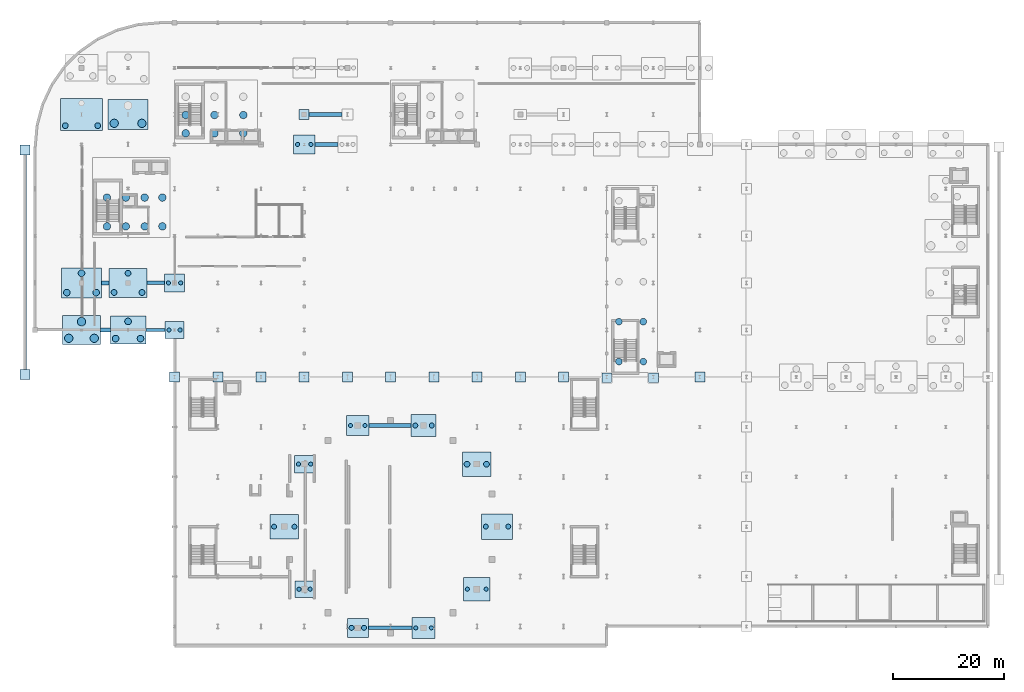
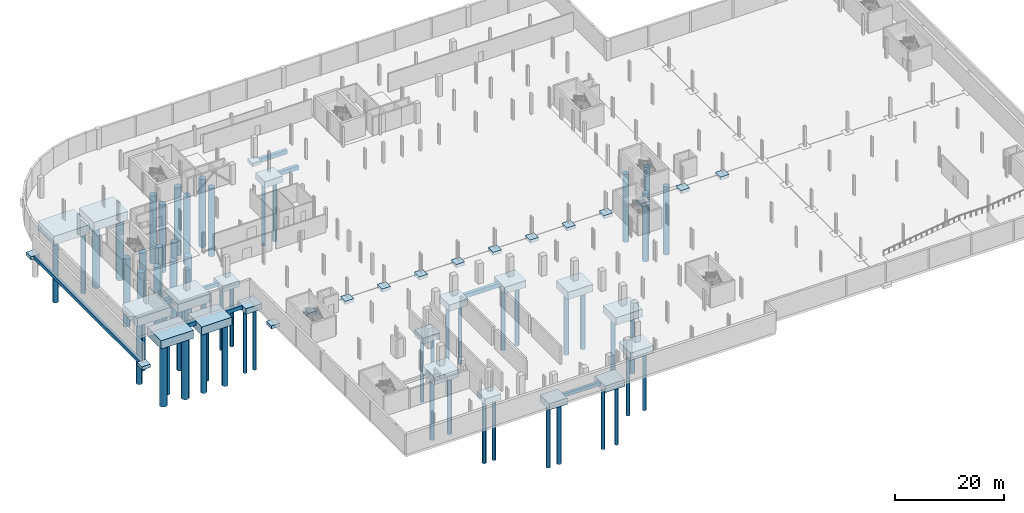
# One storey, part 1 of 45: 60 piles, 44 footings.
"""IFC4 building model written with IfcOpenShell, lengths in metres."""

import ifcopenshell
import ifcopenshell.guid

model = None  # the IFC model being written
_history = None  # IfcOwnerHistory: only IFC2X3 demands one
_inside = {}  # id of a spatial element -> (the spatial element, [elements in it])
_under = {}  # id of a project, library or spatial element -> (it, [spatial elements below it])
_declared = {}  # id of a project -> (the project, [libraries it declares])
_typed = {}  # id of a type object -> (the type object, [elements of that type])
_made_of = {}  # id of a material, layer set ... -> (it, [elements and type objects made of it])


def new_model(schema):
    """Start an empty IFC model of exactly this schema.

    Asked for "IFC4X3", IfcOpenShell would pick the latest addendum, in which some entities
    have other attributes; the version numbers below select the first issue.
    IFC2X3 requires an IfcOwnerHistory on every rooted entity: one is made here for all.
    """
    global model, _history
    if schema == "IFC4X3":
        model = ifcopenshell.file(schema_version=(4, 3, 0, 0))
    else:
        model = ifcopenshell.file(schema=schema)
    _inside.clear()
    _under.clear()
    _declared.clear()
    _typed.clear()
    _made_of.clear()
    _history = None
    if model.schema == "IFC2X3":
        org = make("IfcOrganization", Name="unknown")
        user = make(
            "IfcPersonAndOrganization",
            ThePerson=make("IfcPerson", FamilyName="unknown"),
            TheOrganization=org,
        )
        app = make(
            "IfcApplication",
            ApplicationDeveloper=org,
            Version="unknown",
            ApplicationFullName="unknown",
            ApplicationIdentifier="unknown",
        )
        _history = make(
            "IfcOwnerHistory",
            OwningUser=user,
            OwningApplication=app,
            ChangeAction="ADDED",
            CreationDate=0,
        )
    return model


def make(cls, **values):
    """One entity of the class cls with the attributes given. An attribute that is None is left unset."""
    return model.create_entity(
        cls, **{name: value for name, value in values.items() if value is not None}
    )


def rooted(cls, **values):
    """An entity with a GlobalId (a new one), such as an element, a storey or a relation."""
    return make(cls, GlobalId=ifcopenshell.guid.new(), OwnerHistory=_history, **values)


def si_unit(unit_type, name, prefix=None):
    """IfcSIUnit, for example si_unit("LENGTHUNIT", "METRE", prefix="MILLI")."""
    return make("IfcSIUnit", UnitType=unit_type, Prefix=prefix, Name=name)


def assignment(units):
    """IfcUnitAssignment: the units of a project."""
    return None if units is None else make("IfcUnitAssignment", Units=units)


def point(xyz):
    """IfcCartesianPoint."""
    return None if xyz is None else make("IfcCartesianPoint", Coordinates=xyz)


def direction(xyz):
    """IfcDirection."""
    return None if xyz is None else make("IfcDirection", DirectionRatios=xyz)


def frame(location, z_axis=None, x_axis=None):
    """IfcAxis2Placement3D, a coordinate frame: its origin and axes. An axis left out is left unset."""
    return make(
        "IfcAxis2Placement3D",
        Location=point(location),
        Axis=direction(z_axis),
        RefDirection=direction(x_axis),
    )


def frame_2d(location, x_axis=None):
    """IfcAxis2Placement2D, a coordinate frame in the plane: its origin and x axis."""
    return make(
        "IfcAxis2Placement2D", Location=point(location), RefDirection=direction(x_axis)
    )


def origin():
    """The frame at (0, 0, 0) with its axes left unset."""
    return frame((0.0, 0.0, 0.0))


def origin_2d():
    """The frame at (0, 0) in the plane with its x axis left unset."""
    return frame_2d((0.0, 0.0))


def place(relative_to, where):
    """IfcLocalPlacement: puts the frame where relative to a parent placement (None: the world)."""
    return make(
        "IfcLocalPlacement", PlacementRelTo=relative_to, RelativePlacement=where
    )


def context(
    kind, dimensions, precision=None, world=None, true_north=None, identifier=None
):
    """IfcGeometricRepresentationContext, for example the 3D "Model" context."""
    return make(
        "IfcGeometricRepresentationContext",
        ContextIdentifier=identifier,
        ContextType=kind,
        CoordinateSpaceDimension=dimensions,
        Precision=precision,
        WorldCoordinateSystem=world,
        TrueNorth=true_north,
    )


def subcontext(parent, identifier, kind, view, scale=None):
    """IfcGeometricRepresentationSubContext, for example "Body" below "Model"."""
    return make(
        "IfcGeometricRepresentationSubContext",
        ContextIdentifier=identifier,
        ContextType=kind,
        ParentContext=parent,
        TargetScale=scale,
        TargetView=view,
    )


def project(units=None, contexts=None):
    """IfcProject with its units and contexts."""
    return rooted(
        "IfcProject",
        Name="project",
        RepresentationContexts=contexts,
        UnitsInContext=assignment(units),
    )


def spatial(cls, under=None, at=None, **own):
    """A site, building, storey or space (cls), placed at a placement, below another one or the project."""
    s = rooted(cls, ObjectPlacement=at, **own)
    if under is not None:
        _under.setdefault(under.id(), (under, []))[1].append(s)
    return s


def profile(cls, at=None, kind="AREA", **sizes):
    """A parametric profile (cls). Its sizes go by their IFC names, for example OverallWidth=200.0."""
    return make(cls, ProfileType=kind, Position=at, **sizes)


def rectangle(**sizes):
    """IfcRectangleProfileDef."""
    return profile("IfcRectangleProfileDef", **sizes)


def circle(**sizes):
    """IfcCircleProfileDef."""
    return profile("IfcCircleProfileDef", **sizes)


def extrude(swept, where, along, depth):
    """IfcExtrudedAreaSolid: the profile swept, set in the frame where, extruded along a direction by depth."""
    return make(
        "IfcExtrudedAreaSolid",
        SweptArea=swept,
        Position=where,
        ExtrudedDirection=direction(along),
        Depth=depth,
    )


def shape(context_of_items, identifier, shape_type, items):
    """IfcShapeRepresentation: the items that make up one representation, for example the "Body"."""
    return make(
        "IfcShapeRepresentation",
        ContextOfItems=context_of_items,
        RepresentationIdentifier=identifier,
        RepresentationType=shape_type,
        Items=items,
    )


def material(Name=None, Category=None):
    """IfcMaterial."""
    return make("IfcMaterial", Name=Name, Category=Category)


def material_profile(
    of_material, cross_section, Name=None, Category=None, Priority=None
):
    """IfcMaterialProfile: a cross section and its material."""
    return make(
        "IfcMaterialProfile",
        Name=Name,
        Material=of_material,
        Profile=cross_section,
        Priority=Priority,
        Category=Category,
    )


def profile_set(profiles, Name=None, composite=None):
    """IfcMaterialProfileSet."""
    return make(
        "IfcMaterialProfileSet",
        Name=Name,
        MaterialProfiles=profiles,
        CompositeProfile=composite,
    )


def made_of(thing, what):
    """Note that an element or type object is made of a material, layer set ...; save() writes the relation."""
    if what is not None:
        _made_of.setdefault(what.id(), (what, []))[1].append(thing)
    return thing


def type_object(cls, material=None, **own):
    """A type object (cls), such as IfcWallType, which elements share."""
    return made_of(rooted(cls, **own), material)


def element(
    cls,
    number,
    at=None,
    inside=None,
    cuts=None,
    type_object=None,
    material=None,
    context=None,
    identifier="Body",
    shape_type=None,
    held_by="IfcProductDefinitionShape",
    body=None,
    shapes=None,
    **own,
):
    """One element of the class cls, such as IfcWall. Its Tag is "e" and its number.

    at: its placement. inside: the storey or other place that contains it. cuts: it is an
    opening in that element (IfcRelVoidsElement). A single representation is given by context,
    identifier, shape_type and body (its items); several are given by shapes. held_by: the class
    of the entity that holds the representations. save() writes the other relations.
    """
    e = rooted(cls, Tag="e%d" % number, ObjectPlacement=at, **own)
    if body is not None:
        shapes = [shape(context, identifier, shape_type, body)]
    if shapes is not None:
        e.Representation = make(held_by, Representations=shapes)
    if inside is not None:
        _inside.setdefault(inside.id(), (inside, []))[1].append(e)
    if cuts is not None:
        rooted(
            "IfcRelVoidsElement", RelatingBuildingElement=cuts, RelatedOpeningElement=e
        )
    if type_object is not None:
        _typed.setdefault(type_object.id(), (type_object, []))[1].append(e)
    return made_of(e, material)


def aggregate(whole, parts):
    """IfcRelAggregates: a whole, such as a stair, and the parts it consists of."""
    return rooted("IfcRelAggregates", RelatingObject=whole, RelatedObjects=parts)


def save(model, path):
    """Write the relations noted so far, then the file.

    IfcRelAggregates (storeys below a building ...), IfcRelContainedInSpatialStructure (elements
    in a storey), IfcRelDefinesByType, IfcRelAssociatesMaterial and IfcRelDeclares: one each for
    every whole, place, type object, material and project.
    """
    for whole, parts in _under.values():
        aggregate(whole, parts)
    for where, things in _inside.values():
        rooted(
            "IfcRelContainedInSpatialStructure",
            RelatedElements=things,
            RelatingStructure=where,
        )
    for kind, things in _typed.values():
        rooted("IfcRelDefinesByType", RelatedObjects=things, RelatingType=kind)
    for what, things in _made_of.values():
        rooted("IfcRelAssociatesMaterial", RelatedObjects=things, RelatingMaterial=what)
    for by, libraries in _declared.values():
        rooted("IfcRelDeclares", RelatingContext=by, RelatedDefinitions=libraries)
    model.write(path)


model = new_model("IFC4")

# Units and contexts
model_context = context("Model", 3, precision=1e-05, world=origin(), true_north=direction((0.0, 1.0)))
body_context = subcontext(model_context, "Body", "Model", "MODEL_VIEW")
ifc_project = project(units=[si_unit("LENGTHUNIT", "METRE"), si_unit("AREAUNIT", "SQUARE_METRE"), si_unit("VOLUMEUNIT", "CUBIC_METRE"), si_unit("PLANEANGLEUNIT", "RADIAN"), si_unit("MASSUNIT", "GRAM", prefix="KILO")], contexts=[model_context])

# Site, building, storey
site_placement = place(None, origin())
site = spatial("IfcSite", under=ifc_project, at=site_placement, CompositionType="ELEMENT")
building_placement = place(site_placement, origin())
building = spatial("IfcBuilding", under=site, at=building_placement, Name="Sefraquen Railside Congress Hotel", CompositionType="ELEMENT")
storey_placement = place(building_placement, frame((0.0, 0.0, -4.5)))
storey = spatial("IfcBuildingStorey", under=building, at=storey_placement, Name="B01", CompositionType="ELEMENT", Elevation=-4.5)

# Footings
ifc_material_1 = material(Name="Concrete C40/50", Category="concrete")
footing_type_1 = type_object("IfcFootingType", Name="TF-FB-01", PredefinedType="FOOTING_BEAM", material=ifc_material_1)
footing_1_placement = place(storey_placement, frame((64.10009765625, 8.73974609375, -1.5), z_axis=(0.0, 0.0, 1.0), x_axis=(1.0, 0.0, 0.0)))
element("IfcFooting", 1, at=footing_1_placement, inside=storey, type_object=footing_type_1, Name="Foundation tie beam FTG-FB-001", PredefinedType="FOOTING_BEAM", context=body_context, shape_type="SweptSolid", body=[
    extrude(rectangle(XDim=7.8642578125, YDim=0.60009765625, at=origin_2d()), origin(), (0.0, 0.0, 1.0), 0.800048828125),
])
footing_2_placement = place(storey_placement, frame((21.75, 62.5, -1.5), z_axis=(0.0, 0.0, 1.0), x_axis=(1.0, 0.0, 0.0)))
element("IfcFooting", 2, at=footing_2_placement, inside=storey, type_object=footing_type_1, Name="Foundation tie beam FTG-FB-007", PredefinedType="FOOTING_BEAM", context=body_context, shape_type="SweptSolid", body=[
    extrude(rectangle(XDim=3.498046875, YDim=0.60009765625, at=origin_2d()), origin(), (0.0, 0.0, 1.0), 0.800048828125),
])
footing_3_placement = place(storey_placement, frame((21.800048828125, 71.0, -1.5), z_axis=(0.0, 0.0, 1.0), x_axis=(1.0, 0.0, 0.0)))
element("IfcFooting", 3, at=footing_3_placement, inside=storey, type_object=footing_type_1, Name="Foundation tie beam FTG-FB-009", PredefinedType="FOOTING_BEAM", context=body_context, shape_type="SweptSolid", body=[
    extrude(rectangle(XDim=3.197998046875, YDim=0.60009765625, at=origin_2d()), origin(), (0.0, 0.0, 1.0), 0.800048828125),
])
footing_4_placement = place(storey_placement, frame((-1.800048828125, 74.75, -0.7998046875), z_axis=(0.0, 0.0, 1.0), x_axis=(1.0, 0.0, 0.0)))
element("IfcFooting", 4, at=footing_4_placement, inside=storey, type_object=footing_type_1, Name="West forecourt frost strip footing", PredefinedType="FOOTING_BEAM", context=body_context, shape_type="SweptSolid", body=[
    extrude(rectangle(XDim=0.60009765625, YDim=38.699951171875, at=origin_2d()), origin(), (0.0, 0.0, 1.0), 0.800048828125),
])
footing_type_2 = type_object("IfcFootingType", Name="TF-FB-02", PredefinedType="FOOTING_BEAM", material=ifc_material_1)
footing_5_placement = place(storey_placement, frame((64.074951171875, 45.26025390625, -1.599853515625), z_axis=(0.0, 0.0, 1.0), x_axis=(1.0, 0.0, 0.0)))
element("IfcFooting", 5, at=footing_5_placement, inside=storey, type_object=footing_type_2, Name="Foundation tie beam FTG-FB-002", PredefinedType="FOOTING_BEAM", context=body_context, shape_type="SweptSolid", body=[
    extrude(rectangle(XDim=7.6142578125, YDim=0.699951171875, at=origin_2d()), origin(), (0.0, 0.0, 1.0), 0.89990234375),
])
footing_6_placement = place(storey_placement, frame((12.699951171875, 62.5, -1.599853515625), z_axis=(0.0, 0.0, 1.0), x_axis=(1.0, 0.0, 0.0)))
element("IfcFooting", 6, at=footing_6_placement, inside=storey, type_object=footing_type_2, Name="Foundation tie beam FTG-FB-006", PredefinedType="FOOTING_BEAM", context=body_context, shape_type="SweptSolid", body=[
    extrude(rectangle(XDim=1.798095703125, YDim=0.699951171875, at=origin_2d()), origin(), (0.0, 0.0, 1.0), 0.89990234375),
])
footing_7_placement = place(storey_placement, frame((12.699951171875, 71.0, -1.599853515625), z_axis=(0.0, 0.0, 1.0), x_axis=(1.0, 0.0, 0.0)))
element("IfcFooting", 7, at=footing_7_placement, inside=storey, type_object=footing_type_2, Name="Foundation tie beam FTG-FB-008", PredefinedType="FOOTING_BEAM", context=body_context, shape_type="SweptSolid", body=[
    extrude(rectangle(XDim=1.39794921875, YDim=0.699951171875, at=origin_2d()), origin(), (0.0, 0.0, 1.0), 0.89990234375),
])
footing_8_placement = place(storey_placement, frame((52.60009765625, 96.0, -1.599853515625), z_axis=(0.0, 0.0, 1.0), x_axis=(1.0, 0.0, 0.0)))
element("IfcFooting", 8, at=footing_8_placement, inside=storey, type_object=footing_type_2, Name="Foundation tie beam FTG-FB-010", PredefinedType="FOOTING_BEAM", context=body_context, shape_type="SweptSolid", body=[
    extrude(rectangle(XDim=4.197998046875, YDim=0.699951171875, at=origin_2d()), origin(), (0.0, 0.0, 1.0), 0.89990234375),
])
footing_9_placement = place(storey_placement, frame((52.449951171875, 101.39990234375, -1.599853515625), z_axis=(0.0, 0.0, 1.0), x_axis=(1.0, 0.0, 0.0)))
element("IfcFooting", 9, at=footing_9_placement, inside=storey, type_object=footing_type_2, Name="Foundation tie beam FTG-FB-020", PredefinedType="FOOTING_BEAM", context=body_context, shape_type="SweptSolid", body=[
    extrude(rectangle(XDim=5.89794921875, YDim=0.699951171875, at=origin_2d()), origin(), (0.0, 0.0, 1.0), 0.89990234375),
])
footing_type_3 = type_object("IfcFootingType", Name="TF-PC-05", PredefinedType="PILE_CAP", material=ifc_material_1)
for number, where, z_axis, x_axis, name in (
    (10, (25.199951171875, 62.5, -2.0), (0.0, 0.0, 1.0), (1.0, 0.0, 0.0), "Reinforced concrete pile cap FTG-PC-021"),
    (11, (48.6669921875, 15.714599609375, -2.0), (0.0, 0.0, 1.0), (1.0, 0.0, 0.0), "Reinforced concrete pile cap FTG-PC-038"),
):
    element("IfcFooting", number, at=place(storey_placement, frame(where, z_axis=z_axis, x_axis=x_axis)), inside=storey, type_object=footing_type_3, Name=name, PredefinedType="PILE_CAP", context=body_context, shape_type="SweptSolid", body=[
        extrude(rectangle(XDim=3.39990234375, YDim=3.0, at=origin_2d()), origin(), (0.0, 0.0, 1.0), 1.300048828125),
    ])
footing_type_4 = type_object("IfcFootingType", Name="TF-PC-06", PredefinedType="PILE_CAP", material=ifc_material_1)
for number, where, z_axis, x_axis, name in (
    (12, (25.199951171875, 71.0, -2.050048828125), (0.0, 0.0, 1.0), (1.0, 0.0, 0.0), "Reinforced concrete pile cap FTG-PC-022"),
    (13, (48.6669921875, 38.285400390625, -2.050048828125), (0.0, 0.0, 1.0), (1.0, 0.0, 0.0), "Reinforced concrete pile cap FTG-PC-039"),
):
    element("IfcFooting", number, at=place(storey_placement, frame(where, z_axis=z_axis, x_axis=x_axis)), inside=storey, type_object=footing_type_4, Name=name, PredefinedType="PILE_CAP", context=body_context, shape_type="SweptSolid", body=[
        extrude(rectangle(XDim=3.60009765625, YDim=3.199951171875, at=origin_2d()), origin(), (0.0, 0.0, 1.0), 1.35009765625),
    ])
footing_type_5 = type_object("IfcFootingType", Name="TF-PC-07", PredefinedType="PILE_CAP", material=ifc_material_1)
for number, where, z_axis, x_axis, name in (
    (14, (48.60009765625, 96.0, -2.099853515625), (0.0, 0.0, 1.0), (1.0, 0.0, 0.0), "Reinforced concrete pile cap FTG-PC-023"),
    (15, (58.266845703125, 8.73974609375, -2.099853515625), (0.0, 0.0, 1.0), (1.0, 0.0, 0.0), "Reinforced concrete pile cap FTG-PC-040"),
):
    element("IfcFooting", number, at=place(storey_placement, frame(where, z_axis=z_axis, x_axis=x_axis)), inside=storey, type_object=footing_type_5, Name=name, PredefinedType="PILE_CAP", context=body_context, shape_type="SweptSolid", body=[
        extrude(rectangle(XDim=3.800048828125, YDim=3.39990234375, at=origin_2d()), origin(), (0.0, 0.0, 1.0), 1.39990234375),
    ])
footing_type_6 = type_object("IfcFootingType", Name="TF-PC-08", PredefinedType="PILE_CAP", material=ifc_material_1)
footing_10_placement = place(storey_placement, frame((58.266845703125, 45.26025390625, -2.14990234375), z_axis=(0.0, 0.0, 1.0), x_axis=(1.0, 0.0, 0.0)))
element("IfcFooting", 16, at=footing_10_placement, inside=storey, type_object=footing_type_6, Name="Reinforced concrete pile cap FTG-PC-041", PredefinedType="PILE_CAP", context=body_context, shape_type="SweptSolid", body=[
    extrude(rectangle(XDim=4.0, YDim=3.60009765625, at=origin_2d()), origin(), (0.0, 0.0, 1.0), 1.449951171875),
])
footing_type_7 = type_object("IfcFootingType", Name="TF-PC-09", PredefinedType="PILE_CAP", material=ifc_material_1)
footing_11_placement = place(storey_placement, frame((70.133056640625, 8.73974609375, -2.199951171875), z_axis=(0.0, 0.0, 1.0), x_axis=(1.0, 0.0, 0.0)))
element("IfcFooting", 17, at=footing_11_placement, inside=storey, type_object=footing_type_7, Name="Reinforced concrete pile cap FTG-PC-042", PredefinedType="PILE_CAP", context=body_context, shape_type="SweptSolid", body=[
    extrude(rectangle(XDim=4.199951171875, YDim=3.800048828125, at=origin_2d()), origin(), (0.0, 0.0, 1.0), 1.5),
])
footing_type_8 = type_object("IfcFootingType", Name="TF-PC-10", PredefinedType="PILE_CAP", material=ifc_material_1)
footing_12_placement = place(storey_placement, frame((70.133056640625, 45.26025390625, -2.25), z_axis=(0.0, 0.0, 1.0), x_axis=(1.0, 0.0, 0.0)))
element("IfcFooting", 18, at=footing_12_placement, inside=storey, type_object=footing_type_8, Name="Reinforced concrete pile cap FTG-PC-043", PredefinedType="PILE_CAP", context=body_context, shape_type="SweptSolid", body=[
    extrude(rectangle(XDim=4.5, YDim=4.0, at=origin_2d()), origin(), (0.0, 0.0, 1.0), 1.550048828125),
])
footing_type_9 = type_object("IfcFootingType", Name="TF-PC-11", PredefinedType="PILE_CAP", material=ifc_material_1)
footing_13_placement = place(storey_placement, frame((79.733154296875, 15.714599609375, -2.300048828125), z_axis=(0.0, 0.0, 1.0), x_axis=(1.0, 0.0, 0.0)))
element("IfcFooting", 19, at=footing_13_placement, inside=storey, type_object=footing_type_9, Name="Reinforced concrete pile cap FTG-PC-044", PredefinedType="PILE_CAP", context=body_context, shape_type="SweptSolid", body=[
    extrude(rectangle(XDim=4.800048828125, YDim=4.199951171875, at=origin_2d()), origin(), (0.0, 0.0, 1.0), 1.60009765625),
])
footing_type_10 = type_object("IfcFootingType", Name="TF-PC-12", PredefinedType="PILE_CAP", material=ifc_material_1)
for number, where, z_axis, x_axis, name in (
    (20, (45.0, 27.0, -2.349853515625), (0.0, 0.0, 1.0), (1.0, 0.0, 0.0), "Reinforced concrete pile cap FTG-PC-037"),
    (21, (79.733154296875, 38.285400390625, -2.349853515625), (0.0, 0.0, 1.0), (1.0, 0.0, 0.0), "Reinforced concrete pile cap FTG-PC-045"),
):
    element("IfcFooting", number, at=place(storey_placement, frame(where, z_axis=z_axis, x_axis=x_axis)), inside=storey, type_object=footing_type_10, Name=name, PredefinedType="PILE_CAP", context=body_context, shape_type="SweptSolid", body=[
        extrude(rectangle(XDim=5.199951171875, YDim=4.39990234375, at=origin_2d()), origin(), (0.0, 0.0, 1.0), 1.64990234375),
    ])
footing_type_11 = type_object("IfcFootingType", Name="TF-PC-13", PredefinedType="PILE_CAP", material=ifc_material_1)
footing_14_placement = place(storey_placement, frame((83.39990234375, 27.0, -2.39990234375), z_axis=(0.0, 0.0, 1.0), x_axis=(1.0, 0.0, 0.0)))
element("IfcFooting", 22, at=footing_14_placement, inside=storey, type_object=footing_type_11, Name="Reinforced concrete pile cap FTG-PC-046", PredefinedType="PILE_CAP", context=body_context, shape_type="SweptSolid", body=[
    extrude(rectangle(XDim=5.60009765625, YDim=4.60009765625, at=origin_2d()), origin(), (0.0, 0.0, 1.0), 1.699951171875),
])
footing_type_12 = type_object("IfcFootingType", Name="TF-PC-15", PredefinedType="PILE_CAP", material=ifc_material_1)
footing_15_placement = place(storey_placement, frame((16.800048828125, 62.5, -2.5), z_axis=(0.0, 0.0, 1.0), x_axis=(1.0, 0.0, 0.0)))
element("IfcFooting", 23, at=footing_15_placement, inside=storey, type_object=footing_type_12, Name="Reinforced concrete pile cap FTG-PC-017", PredefinedType="PILE_CAP", context=body_context, shape_type="SweptSolid", body=[
    extrude(rectangle(XDim=6.39990234375, YDim=5.0, at=origin_2d()), origin(), (0.0, 0.0, 1.0), 1.800048828125),
])
footing_type_13 = type_object("IfcFootingType", Name="TF-PC-16", PredefinedType="PILE_CAP", material=ifc_material_1)
for number, where, z_axis, x_axis, name in (
    (24, (8.39990234375, 62.5, -2.550048828125), (0.0, 0.0, 1.0), (1.0, 0.0, 0.0), "Reinforced concrete pile cap FTG-PC-013"),
    (25, (16.800048828125, 71.0, -2.550048828125), (0.0, 0.0, 1.0), (1.0, 0.0, 0.0), "Reinforced concrete pile cap FTG-PC-018"),
):
    element("IfcFooting", number, at=place(storey_placement, frame(where, z_axis=z_axis, x_axis=x_axis)), inside=storey, type_object=footing_type_13, Name=name, PredefinedType="PILE_CAP", context=body_context, shape_type="SweptSolid", body=[
        extrude(rectangle(XDim=6.800048828125, YDim=5.199951171875, at=origin_2d()), origin(), (0.0, 0.0, 1.0), 1.85009765625),
    ])
footing_type_14 = type_object("IfcFootingType", Name="TF-PC-17", PredefinedType="PILE_CAP", material=ifc_material_1)
for number, where, z_axis, x_axis, name in (
    (26, (8.39990234375, 71.0, -2.599853515625), (0.0, 0.0, 1.0), (1.0, 0.0, 0.0), "Reinforced concrete pile cap FTG-PC-014"),
    (27, (16.800048828125, 101.39990234375, -2.599853515625), (0.0, 0.0, 1.0), (1.0, 0.0, 0.0), "Reinforced concrete pile cap FTG-PC-019"),
):
    element("IfcFooting", number, at=place(storey_placement, frame(where, z_axis=z_axis, x_axis=x_axis)), inside=storey, type_object=footing_type_14, Name=name, PredefinedType="PILE_CAP", context=body_context, shape_type="SweptSolid", body=[
        extrude(rectangle(XDim=7.199951171875, YDim=5.39990234375, at=origin_2d()), origin(), (0.0, 0.0, 1.0), 1.89990234375),
    ])
footing_type_15 = type_object("IfcFootingType", Name="TF-PC-18", PredefinedType="PILE_CAP", material=ifc_material_1)
footing_16_placement = place(storey_placement, frame((8.39990234375, 101.39990234375, -2.699951171875), z_axis=(0.0, 0.0, 1.0), x_axis=(1.0, 0.0, 0.0)))
element("IfcFooting", 28, at=footing_16_placement, inside=storey, type_object=footing_type_15, Name="Reinforced concrete pile cap FTG-PC-015", PredefinedType="PILE_CAP", context=body_context, shape_type="SweptSolid", body=[
    extrude(rectangle(XDim=7.60009765625, YDim=5.800048828125, at=origin_2d()), origin(), (0.0, 0.0, 1.0), 2.0),
])
footing_type_16 = type_object("IfcFootingType", Name="TF-PF-01", PredefinedType="PAD_FOOTING", material=ifc_material_1)
for number, where, z_axis, x_axis, name in (
    (29, (48.60009765625, 101.39990234375, -1.449951171875), (0.0, 0.0, 1.0), (1.0, 0.0, 0.0), "Isolated pad footing FTG-PF-01"),
    (30, (-1.800048828125, 54.5, -0.75), (0.0, 0.0, 1.0), (1.0, 0.0, 0.0), "West forecourt south corner pad footing"),
    (31, (-1.800048828125, 95.0, -0.75), (0.0, 0.0, 1.0), (1.0, 0.0, 0.0), "West forecourt north corner pad footing"),
):
    element("IfcFooting", number, at=place(storey_placement, frame(where, z_axis=z_axis, x_axis=x_axis)), inside=storey, type_object=footing_type_16, Name=name, PredefinedType="PAD_FOOTING", context=body_context, shape_type="SweptSolid", body=[
        extrude(rectangle(XDim=1.800048828125, YDim=1.800048828125, at=origin_2d()), origin(), (0.0, 0.0, 1.0), 0.75),
    ])
footing_type_17 = type_object("IfcFootingType", Name="TF-PF-05", PredefinedType="PAD_FOOTING", material=ifc_material_1)
for number, where, z_axis, x_axis, name in (
    (32, (25.199951171875, 54.0, -0.7001953125), (0.0, 0.0, 1.0), (1.0, 0.0, 0.0), "Movement joint column foundation pedestal 01"),
    (33, (33.0, 54.0, -0.7001953125), (0.0, 0.0, 1.0), (1.0, 0.0, 0.0), "Movement joint column foundation pedestal 02"),
    (34, (40.800048828125, 54.0, -0.7001953125), (0.0, 0.0, 1.0), (1.0, 0.0, 0.0), "Movement joint column foundation pedestal 03"),
    (35, (48.60009765625, 54.0, -0.7001953125), (0.0, 0.0, 1.0), (1.0, 0.0, 0.0), "Movement joint column foundation pedestal 04"),
    (36, (103.199951171875, 53.8798828125, -0.7001953125), (0.0, 0.0, 1.0), (1.0, 0.0, 0.0), "Movement joint column foundation pedestal 05"),
    (37, (111.60009765625, 53.8798828125, -0.7001953125), (0.0, 0.0, 1.0), (1.0, 0.0, 0.0), "Movement joint column foundation pedestal 06"),
    (38, (120.0, 54.0, -0.7001953125), (0.0, 0.0, 1.0), (1.0, 0.0, 0.0), "Movement joint column foundation pedestal 07"),
    (39, (56.39990234375, 54.0, -0.7001953125), (0.0, 0.0, 1.0), (1.0, 0.0, 0.0), "Movement joint column foundation pedestal 24"),
    (40, (64.199951171875, 54.0, -0.7001953125), (0.0, 0.0, 1.0), (1.0, 0.0, 0.0), "Movement joint column foundation pedestal 25"),
    (41, (72.0, 54.0, -0.7001953125), (0.0, 0.0, 1.0), (1.0, 0.0, 0.0), "Movement joint column foundation pedestal 26"),
    (42, (79.800048828125, 54.0, -0.7001953125), (0.0, 0.0, 1.0), (1.0, 0.0, 0.0), "Movement joint column foundation pedestal 27"),
    (43, (87.60009765625, 54.0, -0.7001953125), (0.0, 0.0, 1.0), (1.0, 0.0, 0.0), "Movement joint column foundation pedestal 28"),
    (44, (95.39990234375, 54.0, -0.7001953125), (0.0, 0.0, 1.0), (1.0, 0.0, 0.0), "Movement joint column foundation pedestal 29"),
):
    element("IfcFooting", number, at=place(storey_placement, frame(where, z_axis=z_axis, x_axis=x_axis)), inside=storey, type_object=footing_type_17, Name=name, PredefinedType="PAD_FOOTING", context=body_context, shape_type="SweptSolid", body=[
        extrude(rectangle(XDim=1.800048828125, YDim=1.800048828125, at=origin_2d()), origin(), (0.0, 0.0, 1.0), 0.699951171875),
    ])

# Piles
ifc_material_2 = material(Name="Concrete C35/45", Category="concrete")
ifc_material_profile_1 = material_profile(ifc_material_2, circle(Radius=0.52490234375, at=origin_2d()), Name="BORED PILE 1050")
ifc_profile_set_1 = profile_set([ifc_material_profile_1], Name="Concrete C35/45")
pile_type_1 = type_object("IfcPileType", Name="TPL-BP-1050", PredefinedType="BORED", material=ifc_profile_set_1)
for number, where, z_axis, x_axis, name in (
    (45, (5.47509765625, 99.375, -2.60009765625), (0.0, 0.0, -1.0), (1.0, 0.0, 0.0), "Bored foundation pile PIL-B01-079"),
    (46, (11.324951171875, 99.375, -2.60009765625), (0.0, 0.0, -1.0), (1.0, 0.0, 0.0), "Bored foundation pile PIL-B01-080"),
):
    element("IfcPile", number, at=place(storey_placement, frame(where, z_axis=z_axis, x_axis=x_axis)), inside=storey, type_object=pile_type_1, Name=name, PredefinedType="BORED", context=body_context, shape_type="SweptSolid", body=[
        extrude(circle(Radius=0.52490234375, at=origin_2d()), origin(), (0.0, 0.0, 1.0), 13.39990234375),
    ])
for number, where, z_axis, x_axis, name in (
    (47, (14.27490234375, 69.27490234375, -2.449951171875), (0.0, 0.0, -1.0), (1.0, 0.0, 0.0), "Bored foundation pile PIL-B01-088"),
    (48, (19.324951171875, 69.27490234375, -2.449951171875), (0.0, 0.0, -1.0), (1.0, 0.0, 0.0), "Bored foundation pile PIL-B01-089"),
    (49, (16.800048828125, 72.72509765625, -2.449951171875), (0.0, 0.0, -1.0), (1.0, 0.0, 0.0), "Bored foundation pile PIL-B01-090"),
):
    element("IfcPile", number, at=place(storey_placement, frame(where, z_axis=z_axis, x_axis=x_axis)), inside=storey, type_object=pile_type_1, Name=name, PredefinedType="BORED", context=body_context, shape_type="SweptSolid", body=[
        extrude(circle(Radius=0.52490234375, at=origin_2d()), origin(), (0.0, 0.0, 1.0), 13.550048828125),
    ])
for number, where, z_axis, x_axis, name in (
    (50, (77.97802734375, 38.285400390625, -2.25), (0.0, 0.0, -1.0), (1.0, 0.0, 0.0), "Bored foundation pile PIL-B01-145"),
    (51, (81.488037109375, 38.285400390625, -2.25), (0.0, 0.0, -1.0), (1.0, 0.0, 0.0), "Bored foundation pile PIL-B01-146"),
):
    element("IfcPile", number, at=place(storey_placement, frame(where, z_axis=z_axis, x_axis=x_axis)), inside=storey, type_object=pile_type_1, Name=name, PredefinedType="BORED", context=body_context, shape_type="SweptSolid", body=[
        extrude(circle(Radius=0.52490234375, at=origin_2d()), origin(), (0.0, 0.0, 1.0), 13.75),
    ])
ifc_material_profile_2 = material_profile(ifc_material_2, circle(Radius=0.60009765625, at=origin_2d()), Name="BORED PILE 1200")
ifc_profile_set_2 = profile_set([ifc_material_profile_2], Name="Concrete C35/45")
pile_type_2 = type_object("IfcPileType", Name="TPL-BP-1200", PredefinedType="BORED", material=ifc_profile_set_2)
for number, where, z_axis, x_axis, name in (
    (52, (105.39990234375, 56.800048828125, -0.800048828125), (0.0, 0.0, -1.0), (1.0, 0.0, 0.0), "Bored foundation pile PIL-B01-027"),
    (53, (105.39990234375, 64.0, -0.800048828125), (0.0, 0.0, -1.0), (1.0, 0.0, 0.0), "Bored foundation pile PIL-B01-028"),
    (54, (109.800048828125, 56.800048828125, -0.800048828125), (0.0, 0.0, -1.0), (1.0, 0.0, 0.0), "Bored foundation pile PIL-B01-032"),
    (55, (109.800048828125, 64.0, -0.800048828125), (0.0, 0.0, -1.0), (1.0, 0.0, 0.0), "Bored foundation pile PIL-B01-033"),
):
    element("IfcPile", number, at=place(storey_placement, frame(where, z_axis=z_axis, x_axis=x_axis)), inside=storey, type_object=pile_type_2, Name=name, PredefinedType="BORED", context=body_context, shape_type="SweptSolid", body=[
        extrude(circle(Radius=0.60009765625, at=origin_2d()), origin(), (0.0, 0.0, 1.0), 15.199951171875),
    ])
for number, where, z_axis, x_axis, name in (
    (56, (5.75, 69.25, -2.5), (0.0, 0.0, -1.0), (1.0, 0.0, 0.0), "Bored foundation pile PIL-B01-076"),
    (57, (11.050048828125, 69.25, -2.5), (0.0, 0.0, -1.0), (1.0, 0.0, 0.0), "Bored foundation pile PIL-B01-077"),
    (58, (8.39990234375, 72.75, -2.5), (0.0, 0.0, -1.0), (1.0, 0.0, 0.0), "Bored foundation pile PIL-B01-078"),
):
    element("IfcPile", number, at=place(storey_placement, frame(where, z_axis=z_axis, x_axis=x_axis)), inside=storey, type_object=pile_type_2, Name=name, PredefinedType="BORED", context=body_context, shape_type="SweptSolid", body=[
        extrude(circle(Radius=0.60009765625, at=origin_2d()), origin(), (0.0, 0.0, 1.0), 13.5),
    ])
for number, where, z_axis, x_axis, name in (
    (59, (14.550048828125, 60.949951171875, -2.39990234375), (0.0, 0.0, -1.0), (1.0, 0.0, 0.0), "Bored foundation pile PIL-B01-085"),
    (60, (19.050048828125, 60.949951171875, -2.39990234375), (0.0, 0.0, -1.0), (1.0, 0.0, 0.0), "Bored foundation pile PIL-B01-086"),
    (61, (16.800048828125, 64.050048828125, -2.39990234375), (0.0, 0.0, -1.0), (1.0, 0.0, 0.0), "Bored foundation pile PIL-B01-087"),
):
    element("IfcPile", number, at=place(storey_placement, frame(where, z_axis=z_axis, x_axis=x_axis)), inside=storey, type_object=pile_type_2, Name=name, PredefinedType="BORED", context=body_context, shape_type="SweptSolid", body=[
        extrude(circle(Radius=0.60009765625, at=origin_2d()), origin(), (0.0, 0.0, 1.0), 13.60009765625),
    ])
ifc_material_profile_3 = material_profile(ifc_material_2, circle(Radius=0.675048828125, at=origin_2d()), Name="BORED PILE 1350")
ifc_profile_set_3 = profile_set([ifc_material_profile_3], Name="Concrete C35/45")
pile_type_3 = type_object("IfcPileType", Name="TPL-BP-1350", PredefinedType="BORED", material=ifc_profile_set_3)
for number, where, z_axis, x_axis, name in (
    (62, (13.0, 81.199951171875, -0.800048828125), (0.0, 0.0, -1.0), (1.0, 0.0, 0.0), "Bored foundation pile PIL-B01-001"),
    (63, (13.0, 86.39990234375, -0.800048828125), (0.0, 0.0, -1.0), (1.0, 0.0, 0.0), "Bored foundation pile PIL-B01-002"),
    (64, (16.39990234375, 81.199951171875, -0.800048828125), (0.0, 0.0, -1.0), (1.0, 0.0, 0.0), "Bored foundation pile PIL-B01-003"),
    (65, (16.39990234375, 86.39990234375, -0.800048828125), (0.0, 0.0, -1.0), (1.0, 0.0, 0.0), "Bored foundation pile PIL-B01-004"),
    (66, (19.800048828125, 81.199951171875, -0.800048828125), (0.0, 0.0, -1.0), (1.0, 0.0, 0.0), "Bored foundation pile PIL-B01-005"),
    (67, (19.800048828125, 86.39990234375, -0.800048828125), (0.0, 0.0, -1.0), (1.0, 0.0, 0.0), "Bored foundation pile PIL-B01-006"),
    (68, (23.0, 81.199951171875, -0.800048828125), (0.0, 0.0, -1.0), (1.0, 0.0, 0.0), "Bored foundation pile PIL-B01-007"),
    (69, (23.0, 86.39990234375, -0.800048828125), (0.0, 0.0, -1.0), (1.0, 0.0, 0.0), "Bored foundation pile PIL-B01-008"),
    (70, (27.199951171875, 98.0, -0.800048828125), (0.0, 0.0, -1.0), (1.0, 0.0, 0.0), "Bored foundation pile PIL-B01-009"),
    (71, (27.199951171875, 101.300048828125, -0.800048828125), (0.0, 0.0, -1.0), (1.0, 0.0, 0.0), "Bored foundation pile PIL-B01-010"),
    (72, (32.39990234375, 98.0, -0.800048828125), (0.0, 0.0, -1.0), (1.0, 0.0, 0.0), "Bored foundation pile PIL-B01-012"),
    (73, (32.39990234375, 101.300048828125, -0.800048828125), (0.0, 0.0, -1.0), (1.0, 0.0, 0.0), "Bored foundation pile PIL-B01-013"),
    (74, (37.60009765625, 98.0, -0.800048828125), (0.0, 0.0, -1.0), (1.0, 0.0, 0.0), "Bored foundation pile PIL-B01-015"),
    (75, (37.60009765625, 101.300048828125, -0.800048828125), (0.0, 0.0, -1.0), (1.0, 0.0, 0.0), "Bored foundation pile PIL-B01-016"),
):
    element("IfcPile", number, at=place(storey_placement, frame(where, z_axis=z_axis, x_axis=x_axis)), inside=storey, type_object=pile_type_3, Name=name, PredefinedType="BORED", context=body_context, shape_type="SweptSolid", body=[
        extrude(circle(Radius=0.675048828125, at=origin_2d()), origin(), (0.0, 0.0, 1.0), 15.199951171875),
    ])
ifc_material_profile_4 = material_profile(ifc_material_2, circle(Radius=0.75, at=origin_2d()), Name="BORED PILE 1500")
ifc_profile_set_4 = profile_set([ifc_material_profile_4], Name="Concrete C35/45")
pile_type_4 = type_object("IfcPileType", Name="TPL-BP-1500", PredefinedType="BORED", material=ifc_profile_set_4)
for number, where, z_axis, x_axis, name in (
    (76, (6.10009765625, 61.0, -2.449951171875), (0.0, 0.0, -1.0), (1.0, 0.0, 0.0), "Bored foundation pile PIL-B01-073"),
    (77, (10.699951171875, 61.0, -2.449951171875), (0.0, 0.0, -1.0), (1.0, 0.0, 0.0), "Bored foundation pile PIL-B01-074"),
    (78, (8.39990234375, 64.0, -2.449951171875), (0.0, 0.0, -1.0), (1.0, 0.0, 0.0), "Bored foundation pile PIL-B01-075"),
):
    element("IfcPile", number, at=place(storey_placement, frame(where, z_axis=z_axis, x_axis=x_axis)), inside=storey, type_object=pile_type_4, Name=name, PredefinedType="BORED", context=body_context, shape_type="SweptSolid", body=[
        extrude(circle(Radius=0.75, at=origin_2d()), origin(), (0.0, 0.0, 1.0), 13.550048828125),
    ])
for number, where, z_axis, x_axis, name in (
    (79, (14.300048828125, 99.800048828125, -2.5), (0.0, 0.0, -1.0), (1.0, 0.0, 0.0), "Bored foundation pile PIL-B01-091"),
    (80, (19.300048828125, 99.800048828125, -2.5), (0.0, 0.0, -1.0), (1.0, 0.0, 0.0), "Bored foundation pile PIL-B01-092"),
):
    element("IfcPile", number, at=place(storey_placement, frame(where, z_axis=z_axis, x_axis=x_axis)), inside=storey, type_object=pile_type_4, Name=name, PredefinedType="BORED", context=body_context, shape_type="SweptSolid", body=[
        extrude(circle(Radius=0.75, at=origin_2d()), origin(), (0.0, 0.0, 1.0), 13.5),
    ])
ifc_material_profile_5 = material_profile(ifc_material_2, circle(Radius=0.375, at=origin_2d()), Name="BORED PILE 750")
ifc_profile_set_5 = profile_set([ifc_material_profile_5], Name="Concrete C35/45")
pile_type_5 = type_object("IfcPileType", Name="TPL-BP-750", PredefinedType="BORED", material=ifc_profile_set_5)
for number, where, z_axis, x_axis, name in (
    (81, (24.195068359375, 62.5, -1.89990234375), (0.0, 0.0, -1.0), (1.0, 0.0, 0.0), "Bored foundation pile PIL-B01-097"),
    (82, (26.205078125, 62.5, -1.89990234375), (0.0, 0.0, -1.0), (1.0, 0.0, 0.0), "Bored foundation pile PIL-B01-098"),
):
    element("IfcPile", number, at=place(storey_placement, frame(where, z_axis=z_axis, x_axis=x_axis)), inside=storey, type_object=pile_type_5, Name=name, PredefinedType="BORED", context=body_context, shape_type="SweptSolid", body=[
        extrude(circle(Radius=0.375, at=origin_2d()), origin(), (0.0, 0.0, 1.0), 14.10009765625),
    ])
for number, where, z_axis, x_axis, name in (
    (83, (24.094970703125, 71.0, -1.949951171875), (0.0, 0.0, -1.0), (1.0, 0.0, 0.0), "Bored foundation pile PIL-B01-099"),
    (84, (26.304931640625, 71.0, -1.949951171875), (0.0, 0.0, -1.0), (1.0, 0.0, 0.0), "Bored foundation pile PIL-B01-100"),
):
    element("IfcPile", number, at=place(storey_placement, frame(where, z_axis=z_axis, x_axis=x_axis)), inside=storey, type_object=pile_type_5, Name=name, PredefinedType="BORED", context=body_context, shape_type="SweptSolid", body=[
        extrude(circle(Radius=0.375, at=origin_2d()), origin(), (0.0, 0.0, 1.0), 14.050048828125),
    ])
for number, where, z_axis, x_axis, name in (
    (85, (47.39501953125, 96.0, -2.0), (0.0, 0.0, -1.0), (1.0, 0.0, 0.0), "Bored foundation pile PIL-B01-101"),
    (86, (49.804931640625, 96.0, -2.0), (0.0, 0.0, -1.0), (1.0, 0.0, 0.0), "Bored foundation pile PIL-B01-102"),
):
    element("IfcPile", number, at=place(storey_placement, frame(where, z_axis=z_axis, x_axis=x_axis)), inside=storey, type_object=pile_type_5, Name=name, PredefinedType="BORED", context=body_context, shape_type="SweptSolid", body=[
        extrude(circle(Radius=0.375, at=origin_2d()), origin(), (0.0, 0.0, 1.0), 14.0),
    ])
for number, where, z_axis, x_axis, name in (
    (87, (47.661865234375, 15.714599609375, -1.89990234375), (0.0, 0.0, -1.0), (1.0, 0.0, 0.0), "Bored foundation pile PIL-B01-131"),
    (88, (49.671875, 15.714599609375, -1.89990234375), (0.0, 0.0, -1.0), (1.0, 0.0, 0.0), "Bored foundation pile PIL-B01-132"),
):
    element("IfcPile", number, at=place(storey_placement, frame(where, z_axis=z_axis, x_axis=x_axis)), inside=storey, type_object=pile_type_5, Name=name, PredefinedType="BORED", context=body_context, shape_type="SweptSolid", body=[
        extrude(circle(Radius=0.375, at=origin_2d()), origin(), (0.0, 0.0, 1.0), 14.10009765625),
    ])
for number, where, z_axis, x_axis, name in (
    (89, (47.56201171875, 38.285400390625, -1.949951171875), (0.0, 0.0, -1.0), (1.0, 0.0, 0.0), "Bored foundation pile PIL-B01-133"),
    (90, (49.77197265625, 38.285400390625, -1.949951171875), (0.0, 0.0, -1.0), (1.0, 0.0, 0.0), "Bored foundation pile PIL-B01-134"),
):
    element("IfcPile", number, at=place(storey_placement, frame(where, z_axis=z_axis, x_axis=x_axis)), inside=storey, type_object=pile_type_5, Name=name, PredefinedType="BORED", context=body_context, shape_type="SweptSolid", body=[
        extrude(circle(Radius=0.375, at=origin_2d()), origin(), (0.0, 0.0, 1.0), 14.050048828125),
    ])
for number, where, z_axis, x_axis, name in (
    (91, (56.9619140625, 45.26025390625, -2.050048828125), (0.0, 0.0, -1.0), (1.0, 0.0, 0.0), "Bored foundation pile PIL-B01-137"),
    (92, (59.572021484375, 45.26025390625, -2.050048828125), (0.0, 0.0, -1.0), (1.0, 0.0, 0.0), "Bored foundation pile PIL-B01-138"),
):
    element("IfcPile", number, at=place(storey_placement, frame(where, z_axis=z_axis, x_axis=x_axis)), inside=storey, type_object=pile_type_5, Name=name, PredefinedType="BORED", context=body_context, shape_type="SweptSolid", body=[
        extrude(circle(Radius=0.375, at=origin_2d()), origin(), (0.0, 0.0, 1.0), 13.949951171875),
    ])
for number, where, z_axis, x_axis, name in (
    (93, (68.72802734375, 8.73974609375, -2.10009765625), (0.0, 0.0, -1.0), (1.0, 0.0, 0.0), "Bored foundation pile PIL-B01-139"),
    (94, (71.5380859375, 8.73974609375, -2.10009765625), (0.0, 0.0, -1.0), (1.0, 0.0, 0.0), "Bored foundation pile PIL-B01-140"),
):
    element("IfcPile", number, at=place(storey_placement, frame(where, z_axis=z_axis, x_axis=x_axis)), inside=storey, type_object=pile_type_5, Name=name, PredefinedType="BORED", context=body_context, shape_type="SweptSolid", body=[
        extrude(circle(Radius=0.375, at=origin_2d()), origin(), (0.0, 0.0, 1.0), 13.89990234375),
    ])
for number, where, z_axis, x_axis, name in (
    (95, (78.028076171875, 15.714599609375, -2.199951171875), (0.0, 0.0, -1.0), (1.0, 0.0, 0.0), "Bored foundation pile PIL-B01-143"),
    (96, (81.43798828125, 15.714599609375, -2.199951171875), (0.0, 0.0, -1.0), (1.0, 0.0, 0.0), "Bored foundation pile PIL-B01-144"),
):
    element("IfcPile", number, at=place(storey_placement, frame(where, z_axis=z_axis, x_axis=x_axis)), inside=storey, type_object=pile_type_5, Name=name, PredefinedType="BORED", context=body_context, shape_type="SweptSolid", body=[
        extrude(circle(Radius=0.375, at=origin_2d()), origin(), (0.0, 0.0, 1.0), 13.800048828125),
    ])
ifc_material_profile_6 = material_profile(ifc_material_2, circle(Radius=0.449951171875, at=origin_2d()), Name="BORED PILE 900")
ifc_profile_set_6 = profile_set([ifc_material_profile_6], Name="Concrete C35/45")
pile_type_6 = type_object("IfcPileType", Name="TPL-BP-900", PredefinedType="BORED", material=ifc_profile_set_6)
for number, where, z_axis, x_axis, name in (
    (97, (43.169921875, 27.0, -2.25), (0.0, 0.0, -1.0), (1.0, 0.0, 0.0), "Bored foundation pile PIL-B01-129"),
    (98, (46.830078125, 27.0, -2.25), (0.0, 0.0, -1.0), (1.0, 0.0, 0.0), "Bored foundation pile PIL-B01-130"),
):
    element("IfcPile", number, at=place(storey_placement, frame(where, z_axis=z_axis, x_axis=x_axis)), inside=storey, type_object=pile_type_6, Name=name, PredefinedType="BORED", context=body_context, shape_type="SweptSolid", body=[
        extrude(circle(Radius=0.449951171875, at=origin_2d()), origin(), (0.0, 0.0, 1.0), 13.75),
    ])
for number, where, z_axis, x_axis, name in (
    (99, (57.136962890625, 8.73974609375, -2.0), (0.0, 0.0, -1.0), (1.0, 0.0, 0.0), "Bored foundation pile PIL-B01-135"),
    (100, (59.39697265625, 8.73974609375, -2.0), (0.0, 0.0, -1.0), (1.0, 0.0, 0.0), "Bored foundation pile PIL-B01-136"),
):
    element("IfcPile", number, at=place(storey_placement, frame(where, z_axis=z_axis, x_axis=x_axis)), inside=storey, type_object=pile_type_6, Name=name, PredefinedType="BORED", context=body_context, shape_type="SweptSolid", body=[
        extrude(circle(Radius=0.449951171875, at=origin_2d()), origin(), (0.0, 0.0, 1.0), 14.0),
    ])
for number, where, z_axis, x_axis, name in (
    (101, (68.653076171875, 45.26025390625, -2.14990234375), (0.0, 0.0, -1.0), (1.0, 0.0, 0.0), "Bored foundation pile PIL-B01-141"),
    (102, (71.613037109375, 45.26025390625, -2.14990234375), (0.0, 0.0, -1.0), (1.0, 0.0, 0.0), "Bored foundation pile PIL-B01-142"),
):
    element("IfcPile", number, at=place(storey_placement, frame(where, z_axis=z_axis, x_axis=x_axis)), inside=storey, type_object=pile_type_6, Name=name, PredefinedType="BORED", context=body_context, shape_type="SweptSolid", body=[
        extrude(circle(Radius=0.449951171875, at=origin_2d()), origin(), (0.0, 0.0, 1.0), 13.85009765625),
    ])
for number, where, z_axis, x_axis, name in (
    (103, (81.3701171875, 27.0, -2.300048828125), (0.0, 0.0, -1.0), (1.0, 0.0, 0.0), "Bored foundation pile PIL-B01-147"),
    (104, (85.429931640625, 27.0, -2.300048828125), (0.0, 0.0, -1.0), (1.0, 0.0, 0.0), "Bored foundation pile PIL-B01-148"),
):
    element("IfcPile", number, at=place(storey_placement, frame(where, z_axis=z_axis, x_axis=x_axis)), inside=storey, type_object=pile_type_6, Name=name, PredefinedType="BORED", context=body_context, shape_type="SweptSolid", body=[
        extrude(circle(Radius=0.449951171875, at=origin_2d()), origin(), (0.0, 0.0, 1.0), 13.699951171875),
    ])

save(model, "model.ifc")
